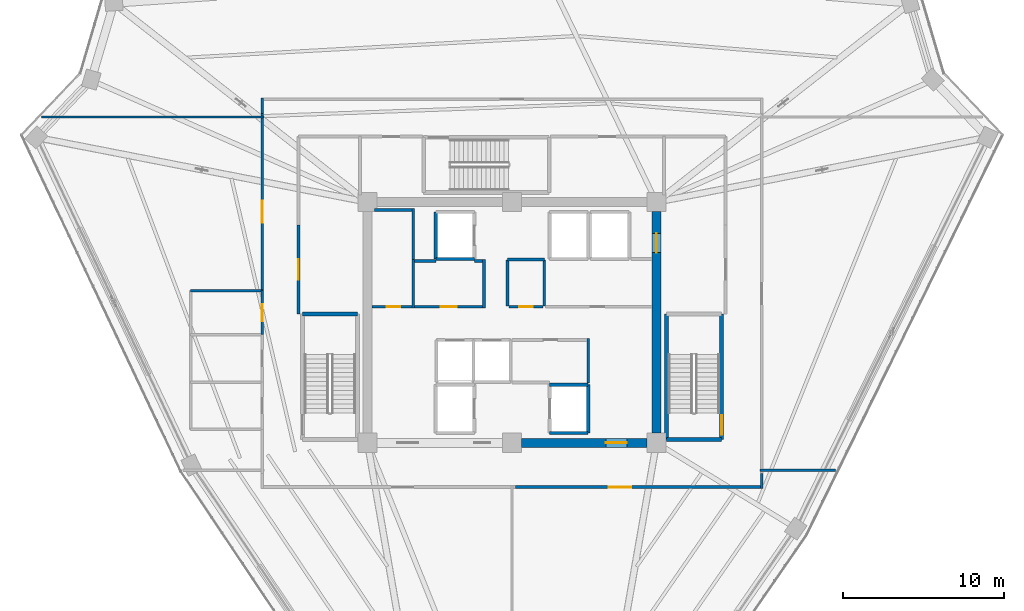
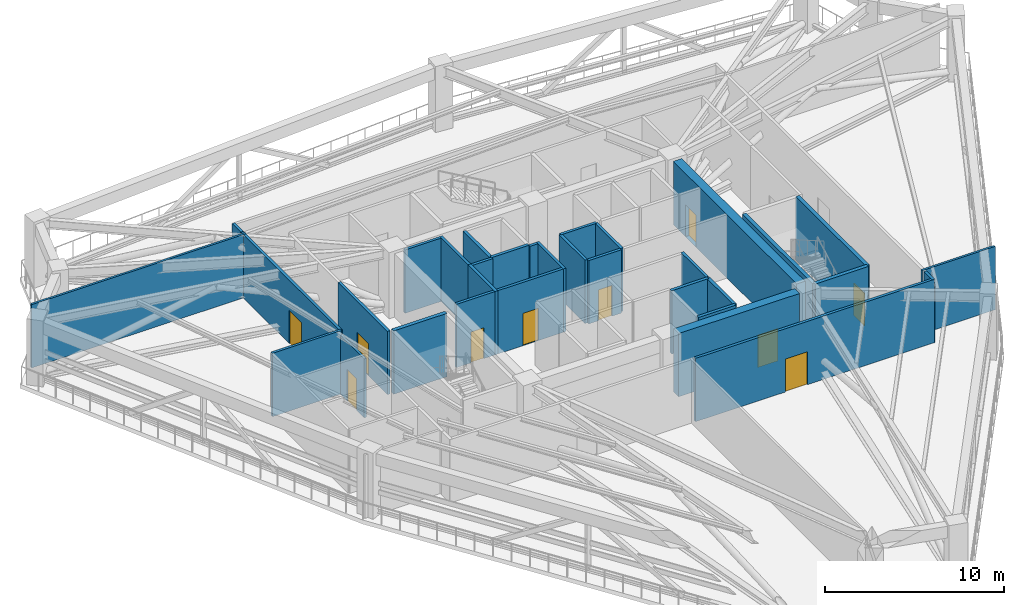
# One storey, part 15 of 22: 33 walls, 10 doors, 10 openings.
"""IFC4 building model written with IfcOpenShell, lengths in metres."""

from ifc_helpers import new_model, si_unit, direction, frame, frame_2d, origin, place, context, subcontext, project, spatial, rectangle, extrude, source, transform, mapped, material, layer, layer_set, type_object, element, fill, save


model = new_model("IFC4")

# Units and contexts
model_context = context("Model", 3, precision=1e-05, world=origin(), true_north=direction((0.0, 1.0)))
body_context = subcontext(model_context, "Body", "Model", "MODEL_VIEW")
ifc_project = project(units=[si_unit("LENGTHUNIT", "METRE"), si_unit("AREAUNIT", "SQUARE_METRE"), si_unit("VOLUMEUNIT", "CUBIC_METRE"), si_unit("PLANEANGLEUNIT", "RADIAN"), si_unit("MASSUNIT", "GRAM", prefix="KILO")], contexts=[model_context])

# Site, building, storey
site_placement = place(None, origin())
site = spatial("IfcSite", under=ifc_project, at=site_placement, CompositionType="ELEMENT")
building_placement = place(site_placement, origin())
building = spatial("IfcBuilding", under=site, at=building_placement, Name="Liaohun Quay Tower", CompositionType="ELEMENT")
storey_placement = place(building_placement, frame((0.0, 0.0, 324.0)))
storey = spatial("IfcBuildingStorey", under=building, at=storey_placement, Name="L84", CompositionType="ELEMENT", Elevation=324.0)

# Wall, opening, door
ifc_material_1 = material(Name="Concrete C50", Category="concrete")
ifc_layer_1 = layer(ifc_material_1, 0.550048828125, Name="Concrete C50", Category="concrete")
ifc_layer_set_1 = layer_set([ifc_layer_1], Name="Concrete C50")
wall_type_1 = type_object("IfcWallType", Name="WAL-COR-Z4", PredefinedType="SHEAR", material=ifc_layer_set_1)
wall_1_placement = place(storey_placement, frame((69.0, 60.89990234375, 0.0), z_axis=(0.0, 0.0, 1.0), x_axis=(0.0, -1.0, 0.0)))
wall_1 = element("IfcWall", 1, at=wall_1_placement, inside=storey, type_object=wall_type_1, Name="L84 Central Core Shear Wall E", PredefinedType="SHEAR", context=body_context, shape_type="SweptSolid", body=[
    extrude(rectangle(XDim=13.7998046875, YDim=0.550048828125, at=frame_2d((6.89990234375, 0.0))), origin(), (0.0, 0.0, 1.0), 4.320068359375),
])
shared_shape_1 = source(origin(), body_context, "Body", "SweptSolid", [
    extrude(rectangle(XDim=1.199951171875, YDim=2.199951171875, at=frame_2d((0.60009765625, 1.10009765625))), frame((0.0, 0.284912109375, 0.0), z_axis=(0.0, -1.0, 0.0), x_axis=(1.0, 0.0, 0.0)), (0.0, 0.0, 1.0), 0.570068359375),
])
opening_1_placement = place(wall_1_placement, frame((1.35009765625, 0.0, 0.0)))
opening_1 = element("IfcOpeningElement", 2, at=opening_1_placement, cuts=wall_1, Name="Opening SD1", PredefinedType="OPENING", context=body_context, shape_type="MappedRepresentation", body=[
    mapped(shared_shape_1, transform((0.0, 0.0, 0.0), x_axis=(1.0, 0.0, 0.0), y_axis=(0.0, 1.0, 0.0), z_axis=(0.0, 0.0, 1.0), scale=1.0)),
])
ifc_material_2 = material(Name="Galvanised steel fire door", Category="steel")
door_type_1 = type_object("IfcDoorType", Name="DOR-STR-1200", OperationType="NOTDEFINED", PredefinedType="DOOR", material=ifc_material_2)
shared_shape_2 = source(origin(), body_context, "Body", "SweptSolid", [
    extrude(rectangle(XDim=1.199951171875, YDim=2.199951171875, at=frame_2d((0.60009765625, 1.10009765625))), frame((0.0, 0.02490234375, 0.0), z_axis=(0.0, -1.0, 0.0), x_axis=(1.0, 0.0, 0.0)), (0.0, 0.0, 1.0), 0.050048828125),
])
door_1_placement = place(opening_1_placement, origin())
door_1 = element("IfcDoor", 3, at=door_1_placement, inside=storey, type_object=door_type_1, Name="L84 North-East Core Lobby Smokeproof Door", OperationType="SINGLE_SWING_LEFT", OverallHeight=2.199951171875, OverallWidth=1.199951171875, PredefinedType="DOOR", context=body_context, shape_type="MappedRepresentation", body=[
    mapped(shared_shape_2, transform((0.0, 0.0, 0.0), x_axis=(1.0, 0.0, 0.0), y_axis=(0.0, 1.0, 0.0), z_axis=(0.0, 0.0, 1.0), scale=1.0)),
])
fill(opening_1, door_1)

wall_2_placement = place(storey_placement, frame((68.39990234375, 46.5, 0.0), z_axis=(0.0, 0.0, 1.0), x_axis=(-1.0, 0.0, 0.0)))
wall_2 = element("IfcWall", 4, at=wall_2_placement, inside=storey, type_object=wall_type_1, Name="L84 Central Core Shear Wall S-E", PredefinedType="SHEAR", context=body_context, shape_type="SweptSolid", body=[
    extrude(rectangle(XDim=7.7998046875, YDim=0.550048828125, at=frame_2d((3.89990234375, 0.0))), origin(), (0.0, 0.0, 1.0), 4.320068359375),
])
shared_shape_3 = source(origin(), body_context, "Body", "SweptSolid", [
    extrude(rectangle(XDim=1.300048828125, YDim=2.199951171875, at=frame_2d((0.64990234375, 1.10009765625))), frame((0.0, 0.284912109375, 0.0), z_axis=(0.0, -1.0, 0.0), x_axis=(1.0, 0.0, 0.0)), (0.0, 0.0, 1.0), 0.570068359375),
])
opening_2_placement = place(wall_2_placement, frame((1.25, 0.0, 0.0)))
opening_2 = element("IfcOpeningElement", 5, at=opening_2_placement, cuts=wall_2, Name="Opening FD1", PredefinedType="OPENING", context=body_context, shape_type="MappedRepresentation", body=[
    mapped(shared_shape_3, transform((0.0, 0.0, 0.0), x_axis=(1.0, 0.0, 0.0), y_axis=(0.0, 1.0, 0.0), z_axis=(0.0, 0.0, 1.0), scale=1.0)),
])
ifc_material_3 = material(Name="Galvanised steel smokeproof fire door", Category="steel")
door_type_2 = type_object("IfcDoorType", Name="DOR-FFL-1300", OperationType="NOTDEFINED", PredefinedType="DOOR", material=ifc_material_3)
shared_shape_4 = source(origin(), body_context, "Body", "SweptSolid", [
    extrude(rectangle(XDim=1.300048828125, YDim=2.199951171875, at=frame_2d((0.64990234375, 1.10009765625))), frame((0.0, 0.02490234375, 0.0), z_axis=(0.0, -1.0, 0.0), x_axis=(1.0, 0.0, 0.0)), (0.0, 0.0, 1.0), 0.050048828125),
])
door_2_placement = place(opening_2_placement, origin())
door_2 = element("IfcDoor", 6, at=door_2_placement, inside=storey, type_object=door_type_2, Name="L84 East Core Lift Lobby Smokeproof Door", OperationType="SINGLE_SWING_LEFT", OverallHeight=2.199951171875, OverallWidth=1.300048828125, PredefinedType="DOOR", context=body_context, shape_type="MappedRepresentation", body=[
    mapped(shared_shape_4, transform((0.0, 0.0, 0.0), x_axis=(1.0, 0.0, 0.0), y_axis=(0.0, 1.0, 0.0), z_axis=(0.0, 0.0, 1.0), scale=1.0)),
])
fill(opening_2, door_2)

ifc_material_4 = material(Name="Autoclaved aerated concrete blockwork", Category="masonry")
ifc_layer_2 = layer(ifc_material_4, 0.179931640625, Name="Autoclaved aerated concrete blockwork", Category="masonry")
ifc_layer_set_2 = layer_set([ifc_layer_2], Name="Autoclaved aerated concrete blockwork")
wall_type_2 = type_object("IfcWallType", Name="WAL-PRT-COR", PredefinedType="PARTITIONING", material=ifc_layer_set_2)
wall_3_placement = place(storey_placement, frame((53.93994140625, 54.97998046875, 0.0), z_axis=(0.0, 0.0, 1.0), x_axis=(1.0, 0.0, 0.0)))
wall_3 = element("IfcWall", 7, at=wall_3_placement, inside=storey, type_object=wall_type_2, Name="L84 Interior Partition Wall 002", PredefinedType="PARTITIONING", context=body_context, shape_type="SweptSolid", body=[
    extrude(rectangle(XDim=4.219970703125, YDim=0.179931640625, at=frame_2d((2.10986328125, 0.0))), origin(), (0.0, 0.0, 1.0), 4.320068359375),
])
shared_shape_5 = source(origin(), body_context, "Body", "SweptSolid", [
    extrude(rectangle(XDim=1.0, YDim=2.199951171875, at=frame_2d((0.5, 1.10009765625))), frame((0.0, 0.099853515625, 0.0), z_axis=(0.0, -1.0, 0.0), x_axis=(1.0, 0.0, 0.0)), (0.0, 0.0, 1.0), 0.199951171875),
])
opening_3_placement = place(wall_3_placement, frame((1.610107421875, 0.0, 0.0)))
opening_3 = element("IfcOpeningElement", 8, at=opening_3_placement, cuts=wall_3, Name="Opening OD1", PredefinedType="OPENING", context=body_context, shape_type="MappedRepresentation", body=[
    mapped(shared_shape_5, transform((0.0, 0.0, 0.0), x_axis=(1.0, 0.0, 0.0), y_axis=(0.0, 1.0, 0.0), z_axis=(0.0, 0.0, 1.0), scale=1.0)),
])
ifc_material_5 = material(Name="Solid-core oak veneer timber leaf in steel frame", Category="steel")
door_type_3 = type_object("IfcDoorType", Name="DOR-OFF-1000", OperationType="NOTDEFINED", PredefinedType="DOOR", material=ifc_material_5)
shared_shape_6 = source(origin(), body_context, "Body", "SweptSolid", [
    extrude(rectangle(XDim=1.0, YDim=2.199951171875, at=frame_2d((0.5, 1.10009765625))), frame((0.0, 0.02490234375, 0.0), z_axis=(0.0, -1.0, 0.0), x_axis=(1.0, 0.0, 0.0)), (0.0, 0.0, 1.0), 0.050048828125),
])
door_3_placement = place(opening_3_placement, origin())
door_3 = element("IfcDoor", 9, at=door_3_placement, inside=storey, type_object=door_type_3, Name="L84 Core Staff Pantry and Tea Room Door", OperationType="SINGLE_SWING_LEFT", OverallHeight=2.199951171875, OverallWidth=1.0, PredefinedType="DOOR", context=body_context, shape_type="MappedRepresentation", body=[
    mapped(shared_shape_6, transform((0.0, 0.0, 0.0), x_axis=(1.0, 0.0, 0.0), y_axis=(0.0, 1.0, 0.0), z_axis=(0.0, 0.0, 1.0), scale=1.0)),
])
fill(opening_3, door_3)

wall_4_placement = place(storey_placement, frame((51.27490234375, 54.97998046875, 0.0), z_axis=(0.0, 0.0, 1.0), x_axis=(1.0, 0.0, 0.0)))
wall_4 = element("IfcWall", 10, at=wall_4_placement, inside=storey, type_object=wall_type_2, Name="L84 Interior Partition Wall 003", PredefinedType="PARTITIONING", context=body_context, shape_type="SweptSolid", body=[
    extrude(rectangle(XDim=2.485107421875, YDim=0.179931640625, at=frame_2d((1.24267578125, 0.0))), origin(), (0.0, 0.0, 1.0), 4.320068359375),
])
shared_shape_7 = source(origin(), body_context, "Body", "SweptSolid", [
    extrude(rectangle(XDim=0.85009765625, YDim=2.10009765625, at=frame_2d((0.425048828125, 1.050048828125))), frame((0.0, 0.099853515625, 0.0), z_axis=(0.0, -1.0, 0.0), x_axis=(1.0, 0.0, 0.0)), (0.0, 0.0, 1.0), 0.199951171875),
])
opening_4_placement = place(wall_4_placement, frame((0.9150390625, 0.0, 0.0)))
opening_4 = element("IfcOpeningElement", 11, at=opening_4_placement, cuts=wall_4, Name="Opening AD1", PredefinedType="OPENING", context=body_context, shape_type="MappedRepresentation", body=[
    mapped(shared_shape_7, transform((0.0, 0.0, 0.0), x_axis=(1.0, 0.0, 0.0), y_axis=(0.0, 1.0, 0.0), z_axis=(0.0, 0.0, 1.0), scale=1.0)),
])
ifc_material_6 = material(Name="Steel riser inspection fire door", Category="steel")
door_type_4 = type_object("IfcDoorType", Name="DOR-SHF-850", OperationType="NOTDEFINED", PredefinedType="DOOR", material=ifc_material_6)
shared_shape_8 = source(origin(), body_context, "Body", "SweptSolid", [
    extrude(rectangle(XDim=0.85009765625, YDim=2.10009765625, at=frame_2d((0.425048828125, 1.050048828125))), frame((0.0, 0.02490234375, 0.0), z_axis=(0.0, -1.0, 0.0), x_axis=(1.0, 0.0, 0.0)), (0.0, 0.0, 1.0), 0.050048828125),
])
door_4_placement = place(opening_4_placement, origin())
door_4 = element("IfcDoor", 12, at=door_4_placement, inside=storey, type_object=door_type_4, Name="L84 Core High-Zone Archive and Riser Store Door", OperationType="SINGLE_SWING_RIGHT", OverallHeight=2.10009765625, OverallWidth=0.85009765625, PredefinedType="DOOR", context=body_context, shape_type="MappedRepresentation", body=[
    mapped(shared_shape_8, transform((0.0, 0.0, 0.0), x_axis=(1.0, 0.0, 0.0), y_axis=(0.0, 1.0, 0.0), z_axis=(0.0, 0.0, 1.0), scale=1.0)),
])
fill(opening_4, door_4)

wall_5_placement = place(storey_placement, frame((59.81005859375, 54.97998046875, 0.0), z_axis=(0.0, 0.0, 1.0), x_axis=(1.0, 0.0, 0.0)))
wall_5 = element("IfcWall", 13, at=wall_5_placement, inside=storey, type_object=wall_type_2, Name="L84 Interior Partition Wall 005", PredefinedType="PARTITIONING", context=body_context, shape_type="SweptSolid", body=[
    extrude(rectangle(XDim=2.10986328125, YDim=0.179931640625, at=frame_2d((1.054931640625, 0.0))), origin(), (0.0, 0.0, 1.0), 4.320068359375),
])
opening_5_placement = place(wall_5_placement, frame((0.635009765625, 0.0, 0.0)))
opening_5 = element("IfcOpeningElement", 14, at=opening_5_placement, cuts=wall_5, Name="Opening AD1", PredefinedType="OPENING", context=body_context, shape_type="MappedRepresentation", body=[
    mapped(shared_shape_7, transform((0.0, 0.0, 0.0), x_axis=(1.0, 0.0, 0.0), y_axis=(0.0, 1.0, 0.0), z_axis=(0.0, 0.0, 1.0), scale=1.0)),
])
door_5_placement = place(opening_5_placement, origin())
door_5 = element("IfcDoor", 15, at=door_5_placement, inside=storey, type_object=door_type_4, Name="L84 Core Electrical and Telecom Riser Room Door", OperationType="SINGLE_SWING_RIGHT", OverallHeight=2.10009765625, OverallWidth=0.85009765625, PredefinedType="DOOR", context=body_context, shape_type="MappedRepresentation", body=[
    mapped(shared_shape_8, transform((0.0, 0.0, 0.0), x_axis=(1.0, 0.0, 0.0), y_axis=(0.0, 1.0, 0.0), z_axis=(0.0, 0.0, 1.0), scale=1.0)),
])
fill(opening_5, door_5)

wall_6_placement = place(storey_placement, frame((46.699951171875, 54.5400390625, 0.0), z_axis=(0.0, 0.0, 1.0), x_axis=(0.0, 1.0, 0.0)))
wall_6 = element("IfcWall", 16, at=wall_6_placement, inside=storey, type_object=wall_type_2, Name="L84 Interior Partition Wall 011", PredefinedType="PARTITIONING", context=body_context, shape_type="SweptSolid", body=[
    extrude(rectangle(XDim=5.52001953125, YDim=0.179931640625, at=frame_2d((2.760009765625, 0.0))), origin(), (0.0, 0.0, 1.0), 4.320068359375),
])
shared_shape_9 = source(origin(), body_context, "Body", "SweptSolid", [
    extrude(rectangle(XDim=1.300048828125, YDim=2.199951171875, at=frame_2d((0.64990234375, 1.10009765625))), frame((0.0, 0.099853515625, 0.0), z_axis=(0.0, -1.0, 0.0), x_axis=(1.0, 0.0, 0.0)), (0.0, 0.0, 1.0), 0.199951171875),
])
opening_6_placement = place(wall_6_placement, frame((2.110107421875, 0.0, 0.0)))
opening_6 = element("IfcOpeningElement", 17, at=opening_6_placement, cuts=wall_6, Name="Opening FD1", PredefinedType="OPENING", context=body_context, shape_type="MappedRepresentation", body=[
    mapped(shared_shape_9, transform((0.0, 0.0, 0.0), x_axis=(1.0, 0.0, 0.0), y_axis=(0.0, 1.0, 0.0), z_axis=(0.0, 0.0, 1.0), scale=1.0)),
])
door_6_placement = place(opening_6_placement, origin())
door_6 = element("IfcDoor", 18, at=door_6_placement, inside=storey, type_object=door_type_2, Name="L84 West Core Vestibule Door", OperationType="SINGLE_SWING_RIGHT", OverallHeight=2.199951171875, OverallWidth=1.300048828125, PredefinedType="DOOR", context=body_context, shape_type="MappedRepresentation", body=[
    mapped(shared_shape_4, transform((0.0, 0.0, 0.0), x_axis=(1.0, 0.0, 0.0), y_axis=(0.0, 1.0, 0.0), z_axis=(0.0, 0.0, 1.0), scale=1.0)),
])
fill(opening_6, door_6)

wall_7_placement = place(storey_placement, frame((44.43994140625, 55.97998046875, 0.0), z_axis=(0.0, 0.0, 1.0), x_axis=(0.0, 1.0, 0.0)))
wall_7 = element("IfcWall", 19, at=wall_7_placement, inside=storey, type_object=wall_type_2, Name="L84 Interior Partition Wall 015", PredefinedType="PARTITIONING", context=body_context, shape_type="SweptSolid", body=[
    extrude(rectangle(XDim=11.034912109375, YDim=0.179931640625, at=frame_2d((5.517578125, 0.0))), origin(), (0.0, 0.0, 1.0), 4.320068359375),
])
shared_shape_10 = source(origin(), body_context, "Body", "SweptSolid", [
    extrude(rectangle(XDim=1.39990234375, YDim=2.25, at=frame_2d((0.699951171875, 1.125))), frame((0.0, 0.099853515625, 0.0), z_axis=(0.0, -1.0, 0.0), x_axis=(1.0, 0.0, 0.0)), (0.0, 0.0, 1.0), 0.199951171875),
])
opening_7_placement = place(wall_7_placement, frame((4.218017578125, 0.0, 0.0)))
opening_7 = element("IfcOpeningElement", 20, at=opening_7_placement, cuts=wall_7, Name="Opening MD1", PredefinedType="OPENING", context=body_context, shape_type="MappedRepresentation", body=[
    mapped(shared_shape_10, transform((0.0, 0.0, 0.0), x_axis=(1.0, 0.0, 0.0), y_axis=(0.0, 1.0, 0.0), z_axis=(0.0, 0.0, 1.0), scale=1.0)),
])
ifc_material_7 = material(Name="Insulated steel plant room door", Category="steel")
door_type_5 = type_object("IfcDoorType", Name="DOR-MEP-1400", OperationType="DOUBLE_DOOR_SINGLE_SWING", PredefinedType="DOOR", material=ifc_material_7)
shared_shape_11 = source(origin(), body_context, "Body", "SweptSolid", [
    extrude(rectangle(XDim=1.39990234375, YDim=2.25, at=frame_2d((0.699951171875, 1.125))), frame((0.0, 0.02490234375, 0.0), z_axis=(0.0, -1.0, 0.0), x_axis=(1.0, 0.0, 0.0)), (0.0, 0.0, 1.0), 0.050048828125),
])
door_7_placement = place(opening_7_placement, origin())
door_7 = element("IfcDoor", 21, at=door_7_placement, inside=storey, type_object=door_type_5, Name="L84 West Air Handling Unit Plant Room Door", OperationType="DOUBLE_DOOR_SINGLE_SWING", OverallHeight=2.25, OverallWidth=1.39990234375, PredefinedType="DOOR", context=body_context, shape_type="MappedRepresentation", body=[
    mapped(shared_shape_11, transform((0.0, 0.0, 0.0), x_axis=(1.0, 0.0, 0.0), y_axis=(0.0, 1.0, 0.0), z_axis=(0.0, 0.0, 1.0), scale=1.0)),
])
fill(opening_7, door_7)

wall_8_placement = place(storey_placement, frame((75.6298828125, 43.739990234375, 0.0), z_axis=(0.0, 0.0, 1.0), x_axis=(-1.0, 0.0, 0.0)))
wall_8 = element("IfcWall", 22, at=wall_8_placement, inside=storey, type_object=wall_type_2, Name="L84 Interior Partition Wall 017", PredefinedType="PARTITIONING", context=body_context, shape_type="SweptSolid", body=[
    extrude(rectangle(XDim=15.414794921875, YDim=0.179931640625, at=frame_2d((7.70751953125, 0.0))), origin(), (0.0, 0.0, 1.0), 4.320068359375),
])
opening_8_placement = place(wall_8_placement, frame((8.20703125, 0.0, 0.0)))
opening_8 = element("IfcOpeningElement", 23, at=opening_8_placement, cuts=wall_8, Name="Opening MD1", PredefinedType="OPENING", context=body_context, shape_type="MappedRepresentation", body=[
    mapped(shared_shape_10, transform((0.0, 0.0, 0.0), x_axis=(1.0, 0.0, 0.0), y_axis=(0.0, 1.0, 0.0), z_axis=(0.0, 0.0, 1.0), scale=1.0)),
])
door_8_placement = place(opening_8_placement, origin())
door_8 = element("IfcDoor", 24, at=door_8_placement, inside=storey, type_object=door_type_5, Name="L84 East Booster Water Pump and Tank Plant Room Door", OperationType="DOUBLE_DOOR_SINGLE_SWING", OverallHeight=2.25, OverallWidth=1.39990234375, PredefinedType="DOOR", context=body_context, shape_type="MappedRepresentation", body=[
    mapped(shared_shape_11, transform((0.0, 0.0, 0.0), x_axis=(1.0, 0.0, 0.0), y_axis=(0.0, 1.0, 0.0), z_axis=(0.0, 0.0, 1.0), scale=1.0)),
])
fill(opening_8, door_8)

# Walls
for number, where, z_axis, x_axis, name in (
    (25, (59.719970703125, 55.02001953125, 0.0), (0.0, 0.0, 1.0), (0.0, 1.0, 0.0), "L84 Interior Partition Wall 018"),
    (26, (62.010009765625, 55.02001953125, 0.0), (0.0, 0.0, 1.0), (0.0, 1.0, 0.0), "L84 Interior Partition Wall 019"),
):
    element("IfcWall", number, at=place(storey_placement, frame(where, z_axis=z_axis, x_axis=x_axis)), inside=storey, type_object=wall_type_2, Name=name, PredefinedType="PARTITIONING", context=body_context, shape_type="SweptSolid", body=[
        extrude(rectangle(XDim=2.8798828125, YDim=0.179931640625, at=frame_2d((1.43994140625, 0.0))), origin(), (0.0, 0.0, 1.0), 4.320068359375),
    ])
wall_9_placement = place(storey_placement, frame((59.719970703125, 57.919921875, 0.0), z_axis=(0.0, 0.0, 1.0), x_axis=(1.0, 0.0, 0.0)))
element("IfcWall", 27, at=wall_9_placement, inside=storey, type_object=wall_type_2, Name="L84 Interior Partition Wall 020", PredefinedType="PARTITIONING", context=body_context, shape_type="SweptSolid", body=[
    extrude(rectangle(XDim=2.2900390625, YDim=0.179931640625, at=frame_2d((1.14501953125, 0.0))), origin(), (0.0, 0.0, 1.0), 4.320068359375),
])
wall_10_placement = place(storey_placement, frame((44.43994140625, 67.014892578125, 0.0), z_axis=(0.0, 0.0, 1.0), x_axis=(0.0, 1.0, 0.0)))
element("IfcWall", 28, at=wall_10_placement, inside=storey, type_object=wall_type_2, Name="L84 Interior Partition Wall 032", PredefinedType="PARTITIONING", context=body_context, shape_type="SweptSolid", body=[
    extrude(rectangle(XDim=0.965087890625, YDim=0.179931640625, at=frame_2d((0.482421875, 0.0))), origin(), (0.0, 0.0, 1.0), 4.320068359375),
])
wall_11_placement = place(storey_placement, frame((75.56005859375, 44.5849609375, 0.0), z_axis=(0.0, 0.0, 1.0), x_axis=(0.0, -1.0, 0.0)))
element("IfcWall", 29, at=wall_11_placement, inside=storey, type_object=wall_type_2, Name="L84 Interior Partition Wall 036", PredefinedType="PARTITIONING", context=body_context, shape_type="SweptSolid", body=[
    extrude(rectangle(XDim=0.9150390625, YDim=0.179931640625, at=frame_2d((0.45751953125, 0.0))), origin(), (0.0, 0.0, 1.0), 4.320068359375),
])
wall_12_placement = place(storey_placement, frame((64.75, 50.219970703125, 0.0), z_axis=(0.0, 0.0, 1.0), x_axis=(0.0, 1.0, 0.0)))
element("IfcWall", 30, at=wall_12_placement, inside=storey, type_object=wall_type_2, Name="L84 Interior Partition Wall 042", PredefinedType="PARTITIONING", context=body_context, shape_type="SweptSolid", body=[
    extrude(rectangle(XDim=2.7900390625, YDim=0.179931640625, at=frame_2d((1.39501953125, 0.0))), origin(), (0.0, 0.0, 1.0), 4.320068359375),
])
for number, where, z_axis, x_axis, name in (
    (31, (53.85009765625, 54.889892578125, 0.0), (0.0, 0.0, 1.0), (0.0, 1.0, 0.0), "L84 Interior Partition Wall 044"),
    (32, (58.25, 54.889892578125, 0.0), (0.0, 0.0, 1.0), (0.0, 1.0, 0.0), "L84 Interior Partition Wall 045"),
):
    element("IfcWall", number, at=place(storey_placement, frame(where, z_axis=z_axis, x_axis=x_axis)), inside=storey, type_object=wall_type_2, Name=name, PredefinedType="PARTITIONING", context=body_context, shape_type="SweptSolid", body=[
        extrude(rectangle(XDim=3.02001953125, YDim=0.179931640625, at=frame_2d((1.510009765625, 0.0))), origin(), (0.0, 0.0, 1.0), 4.320068359375),
    ])
wall_13_placement = place(storey_placement, frame((53.93994140625, 57.820068359375, 0.0), z_axis=(0.0, 0.0, 1.0), x_axis=(1.0, 0.0, 0.0)))
element("IfcWall", 33, at=wall_13_placement, inside=storey, type_object=wall_type_2, Name="L84 Interior Partition Wall 046", PredefinedType="PARTITIONING", context=body_context, shape_type="SweptSolid", body=[
    extrude(rectangle(XDim=1.31005859375, YDim=0.179931640625, at=frame_2d((0.655029296875, 0.0))), origin(), (0.0, 0.0, 1.0), 4.320068359375),
])
wall_14_placement = place(storey_placement, frame((57.64990234375, 57.820068359375, 0.0), z_axis=(0.0, 0.0, 1.0), x_axis=(1.0, 0.0, 0.0)))
element("IfcWall", 34, at=wall_14_placement, inside=storey, type_object=wall_type_2, Name="L84 Interior Partition Wall 047", PredefinedType="PARTITIONING", context=body_context, shape_type="SweptSolid", body=[
    extrude(rectangle(XDim=0.510009765625, YDim=0.179931640625, at=frame_2d((0.2548828125, 0.0))), origin(), (0.0, 0.0, 1.0), 4.320068359375),
])
wall_15_placement = place(storey_placement, frame((53.85009765625, 57.909912109375, 0.0), z_axis=(0.0, 0.0, 1.0), x_axis=(0.0, 1.0, 0.0)))
element("IfcWall", 35, at=wall_15_placement, inside=storey, type_object=wall_type_2, Name="L84 Interior Partition Wall 048", PredefinedType="PARTITIONING", context=body_context, shape_type="SweptSolid", body=[
    extrude(rectangle(XDim=3.18017578125, YDim=0.179931640625, at=frame_2d((1.590087890625, 0.0))), origin(), (0.0, 0.0, 1.0), 4.320068359375),
])
wall_16_placement = place(storey_placement, frame((51.43701171875, 61.0, 0.0), z_axis=(0.0, 0.0, 1.0), x_axis=(1.0, 0.0, 0.0)))
element("IfcWall", 36, at=wall_16_placement, inside=storey, type_object=wall_type_2, Name="L84 Interior Partition Wall 049", PredefinedType="PARTITIONING", context=body_context, shape_type="SweptSolid", body=[
    extrude(rectangle(XDim=2.322998046875, YDim=0.179931640625, at=frame_2d((1.16162109375, 0.0))), origin(), (0.0, 0.0, 1.0), 4.320068359375),
])
ifc_material_8 = material(Name="Gypsum board on twin steel studs", Category="steel")
ifc_layer_3 = layer(ifc_material_8, 0.139892578125, Name="Gypsum board on twin steel studs", Category="steel")
ifc_layer_set_3 = layer_set([ifc_layer_3], Name="Gypsum board on twin steel studs")
wall_type_3 = type_object("IfcWallType", Name="WAL-PRT-OFF", PredefinedType="PARTITIONING", material=ifc_layer_set_3)
wall_17_placement = place(storey_placement, frame((75.4599609375, 44.800048828125, 0.0), z_axis=(0.0, 0.0, 1.0), x_axis=(1.0, 0.0, 0.0)))
element("IfcWall", 37, at=wall_17_placement, inside=storey, type_object=wall_type_3, Name="L84 Interior Partition Wall 038", PredefinedType="PARTITIONING", context=body_context, shape_type="SweptSolid", body=[
    extrude(rectangle(XDim=4.7080078125, YDim=0.139892578125, at=frame_2d((2.35400390625, 0.0))), origin(), (0.0, 0.0, 1.0), 4.320068359375),
])
wall_18_placement = place(storey_placement, frame((44.5400390625, 66.800048828125, 0.0), z_axis=(0.0, 0.0, 1.0), x_axis=(-1.0, 0.0, 0.0)))
element("IfcWall", 38, at=wall_18_placement, inside=storey, type_object=wall_type_3, Name="L84 Interior Partition Wall 039", PredefinedType="PARTITIONING", context=body_context, shape_type="SweptSolid", body=[
    extrude(rectangle(XDim=13.839111328125, YDim=0.139892578125, at=frame_2d((6.91943359375, 0.0))), origin(), (0.0, 0.0, 1.0), 4.320068359375),
])

# Wall, opening, door
ifc_material_9 = material(Name="Moisture-resistant masonry blockwork", Category="masonry")
ifc_layer_4 = layer(ifc_material_9, 0.159912109375, Name="Moisture-resistant masonry blockwork", Category="masonry")
ifc_layer_set_4 = layer_set([ifc_layer_4], Name="Moisture-resistant masonry blockwork")
wall_type_4 = type_object("IfcWallType", Name="WAL-PRT-WET", PredefinedType="PARTITIONING", material=ifc_layer_set_4)
wall_19_placement = place(storey_placement, frame((44.43994140625, 53.239990234375, 0.0), z_axis=(0.0, 0.0, 1.0), x_axis=(0.0, 1.0, 0.0)))
wall_19 = element("IfcWall", 39, at=wall_19_placement, inside=storey, type_object=wall_type_4, Name="L84 Interior Partition Wall 008", PredefinedType="PARTITIONING", context=body_context, shape_type="SweptSolid", body=[
    extrude(rectangle(XDim=2.739990234375, YDim=0.159912109375, at=frame_2d((1.3701171875, 0.0))), origin(), (0.0, 0.0, 1.0), 4.010986328125),
])
shared_shape_12 = source(origin(), body_context, "Body", "SweptSolid", [
    extrude(rectangle(XDim=1.050048828125, YDim=2.14990234375, at=frame_2d((0.52490234375, 1.074951171875))), frame((0.0, 0.08984375, 0.0), z_axis=(0.0, -1.0, 0.0), x_axis=(1.0, 0.0, 0.0)), (0.0, 0.0, 1.0), 0.179931640625),
])
opening_9_placement = place(wall_19_placement, frame((0.844970703125, 0.0, 0.0)))
opening_9 = element("IfcOpeningElement", 40, at=opening_9_placement, cuts=wall_19, Name="Opening WD2", PredefinedType="OPENING", context=body_context, shape_type="MappedRepresentation", body=[
    mapped(shared_shape_12, transform((0.0, 0.0, 0.0), x_axis=(1.0, 0.0, 0.0), y_axis=(0.0, 1.0, 0.0), z_axis=(0.0, 0.0, 1.0), scale=1.0)),
])
ifc_material_10 = material(Name="Accessible outward-swinging laminate door")
door_type_6 = type_object("IfcDoorType", Name="DOR-AWC-1050", OperationType="NOTDEFINED", PredefinedType="DOOR", material=ifc_material_10)
shared_shape_13 = source(origin(), body_context, "Body", "SweptSolid", [
    extrude(rectangle(XDim=1.050048828125, YDim=2.14990234375, at=frame_2d((0.52490234375, 1.074951171875))), frame((0.0, 0.02490234375, 0.0), z_axis=(0.0, -1.0, 0.0), x_axis=(1.0, 0.0, 0.0)), (0.0, 0.0, 1.0), 0.050048828125),
])
door_9_placement = place(opening_9_placement, origin())
door_9 = element("IfcDoor", 41, at=door_9_placement, inside=storey, type_object=door_type_6, Name="L84 Accessible WC Door", OperationType="SINGLE_SWING_LEFT", OverallHeight=2.14990234375, OverallWidth=1.050048828125, PredefinedType="DOOR", context=body_context, shape_type="MappedRepresentation", body=[
    mapped(shared_shape_13, transform((0.0, 0.0, 0.0), x_axis=(1.0, 0.0, 0.0), y_axis=(0.0, 1.0, 0.0), z_axis=(0.0, 0.0, 1.0), scale=1.0)),
])
fill(opening_9, door_9)

# Walls
wall_20_placement = place(storey_placement, frame((39.97998046875, 55.97998046875, 0.0), z_axis=(0.0, 0.0, 1.0), x_axis=(1.0, 0.0, 0.0)))
element("IfcWall", 42, at=wall_20_placement, inside=storey, type_object=wall_type_4, Name="L84 Interior Partition Wall 025", PredefinedType="PARTITIONING", context=body_context, shape_type="SweptSolid", body=[
    extrude(rectangle(XDim=4.4599609375, YDim=0.159912109375, at=frame_2d((2.22998046875, 0.0))), origin(), (0.0, 0.0, 1.0), 4.320068359375),
])
ifc_layer_5 = layer(ifc_material_1, 0.239990234375, Name="Concrete C50", Category="concrete")
ifc_layer_set_5 = layer_set([ifc_layer_5], Name="Concrete C50")
wall_type_5 = type_object("IfcWallType", Name="WAL-SHF-200", PredefinedType="SOLIDWALL", material=ifc_layer_set_5)
for number, where, z_axis, x_axis, name in (
    (43, (50.3798828125, 54.52001953125, 0.0), (0.0, 0.0, 1.0), (-1.0, 0.0, 0.0), "L84 Stairwell ST-1 Structural Core Wall N"),
    (44, (69.6201171875, 46.699951171875, 0.0), (0.0, 0.0, 1.0), (1.0, 0.0, 0.0), "L84 Stairwell ST-2 Structural Core Wall S"),
):
    element("IfcWall", number, at=place(storey_placement, frame(where, z_axis=z_axis, x_axis=x_axis)), inside=storey, type_object=wall_type_5, Name=name, PredefinedType="SOLIDWALL", context=body_context, shape_type="SweptSolid", body=[
        extrude(rectangle(XDim=3.43994140625, YDim=0.239990234375, at=frame_2d((1.719970703125, 0.0))), origin(), (0.0, 0.0, 1.0), 4.320068359375),
    ])

# Wall, opening, door
wall_21_placement = place(storey_placement, frame((73.06005859375, 46.699951171875, 0.0), z_axis=(0.0, 0.0, 1.0), x_axis=(0.0, 1.0, 0.0)))
wall_21 = element("IfcWall", 45, at=wall_21_placement, inside=storey, type_object=wall_type_5, Name="L84 Stairwell ST-2 Structural Core Wall E", PredefinedType="SOLIDWALL", context=body_context, shape_type="SweptSolid", body=[
    extrude(rectangle(XDim=7.820068359375, YDim=0.239990234375, at=frame_2d((3.91015625, 0.0))), origin(), (0.0, 0.0, 1.0), 4.320068359375),
])
shared_shape_14 = source(origin(), body_context, "Body", "SweptSolid", [
    extrude(rectangle(XDim=1.199951171875, YDim=2.199951171875, at=frame_2d((0.60009765625, 1.10009765625))), frame((0.0, 0.1298828125, 0.0), z_axis=(0.0, -1.0, 0.0), x_axis=(1.0, 0.0, 0.0)), (0.0, 0.0, 1.0), 0.260009765625),
])
opening_10_placement = place(wall_21_placement, frame((0.320068359375, 0.0, 0.0)))
opening_10 = element("IfcOpeningElement", 46, at=opening_10_placement, cuts=wall_21, Name="Opening SD1", PredefinedType="OPENING", context=body_context, shape_type="MappedRepresentation", body=[
    mapped(shared_shape_14, transform((0.0, 0.0, 0.0), x_axis=(1.0, 0.0, 0.0), y_axis=(0.0, 1.0, 0.0), z_axis=(0.0, 0.0, 1.0), scale=1.0)),
])
door_10_placement = place(opening_10_placement, origin())
door_10 = element("IfcDoor", 47, at=door_10_placement, inside=storey, type_object=door_type_1, Name="L84 Protected Stair ST-2 Fire Door", OperationType="SINGLE_SWING_RIGHT", OverallHeight=2.199951171875, OverallWidth=1.199951171875, PredefinedType="DOOR", context=body_context, shape_type="MappedRepresentation", body=[
    mapped(shared_shape_2, transform((0.0, 0.0, 0.0), x_axis=(1.0, 0.0, 0.0), y_axis=(0.0, 1.0, 0.0), z_axis=(0.0, 0.0, 1.0), scale=1.0)),
])
fill(opening_10, door_10)

# Walls
wall_22_placement = place(storey_placement, frame((69.6201171875, 54.52001953125, 0.0), z_axis=(0.0, 0.0, 1.0), x_axis=(0.0, -1.0, 0.0)))
element("IfcWall", 48, at=wall_22_placement, inside=storey, type_object=wall_type_5, Name="L84 Stairwell ST-2 Structural Core Wall W", PredefinedType="SOLIDWALL", context=body_context, shape_type="SweptSolid", body=[
    extrude(rectangle(XDim=7.820068359375, YDim=0.239990234375, at=frame_2d((3.91015625, 0.0))), origin(), (0.0, 0.0, 1.0), 4.320068359375),
])
wall_23_placement = place(storey_placement, frame((62.35009765625, 47.1201171875, 0.0), z_axis=(0.0, 0.0, 1.0), x_axis=(1.0, 0.0, 0.0)))
element("IfcWall", 49, at=wall_23_placement, inside=storey, type_object=wall_type_5, Name="L84 Lift FF-02 Hoistway Wall S", PredefinedType="SOLIDWALL", context=body_context, shape_type="SweptSolid", body=[
    extrude(rectangle(XDim=2.39990234375, YDim=0.199951171875, at=frame_2d((1.199951171875, 0.0))), origin(), (0.0, 0.0, 1.0), 4.320068359375),
])
wall_24_placement = place(storey_placement, frame((64.75, 47.1201171875, 0.0), z_axis=(0.0, 0.0, 1.0), x_axis=(0.0, 1.0, 0.0)))
element("IfcWall", 50, at=wall_24_placement, inside=storey, type_object=wall_type_5, Name="L84 Lift FF-02 Hoistway Wall E", PredefinedType="SOLIDWALL", context=body_context, shape_type="SweptSolid", body=[
    extrude(rectangle(XDim=3.0, YDim=0.199951171875, at=frame_2d((1.5, 0.0))), origin(), (0.0, 0.0, 1.0), 4.320068359375),
])
for number, where, z_axis, x_axis, name in (
    (51, (64.75, 50.1201171875, 0.0), (0.0, 0.0, 1.0), (-1.0, 0.0, 0.0), "L84 Lift FF-02 Hoistway Wall N"),
    (52, (55.25, 57.949951171875, 0.0), (0.0, 0.0, 1.0), (1.0, 0.0, 0.0), "L84 Lift FF-03 Hoistway Wall S"),
):
    element("IfcWall", number, at=place(storey_placement, frame(where, z_axis=z_axis, x_axis=x_axis)), inside=storey, type_object=wall_type_5, Name=name, PredefinedType="SOLIDWALL", context=body_context, shape_type="SweptSolid", body=[
        extrude(rectangle(XDim=2.39990234375, YDim=0.199951171875, at=frame_2d((1.199951171875, 0.0))), origin(), (0.0, 0.0, 1.0), 4.320068359375),
    ])
wall_25_placement = place(storey_placement, frame((55.25, 60.8798828125, 0.0), z_axis=(0.0, 0.0, 1.0), x_axis=(0.0, -1.0, 0.0)))
element("IfcWall", 53, at=wall_25_placement, inside=storey, type_object=wall_type_5, Name="L84 Lift FF-03 Hoistway Wall W", PredefinedType="SOLIDWALL", context=body_context, shape_type="SweptSolid", body=[
    extrude(rectangle(XDim=2.929931640625, YDim=0.199951171875, at=frame_2d((1.46484375, 0.0))), origin(), (0.0, 0.0, 1.0), 4.320068359375),
])

save(model, "model.ifc")
